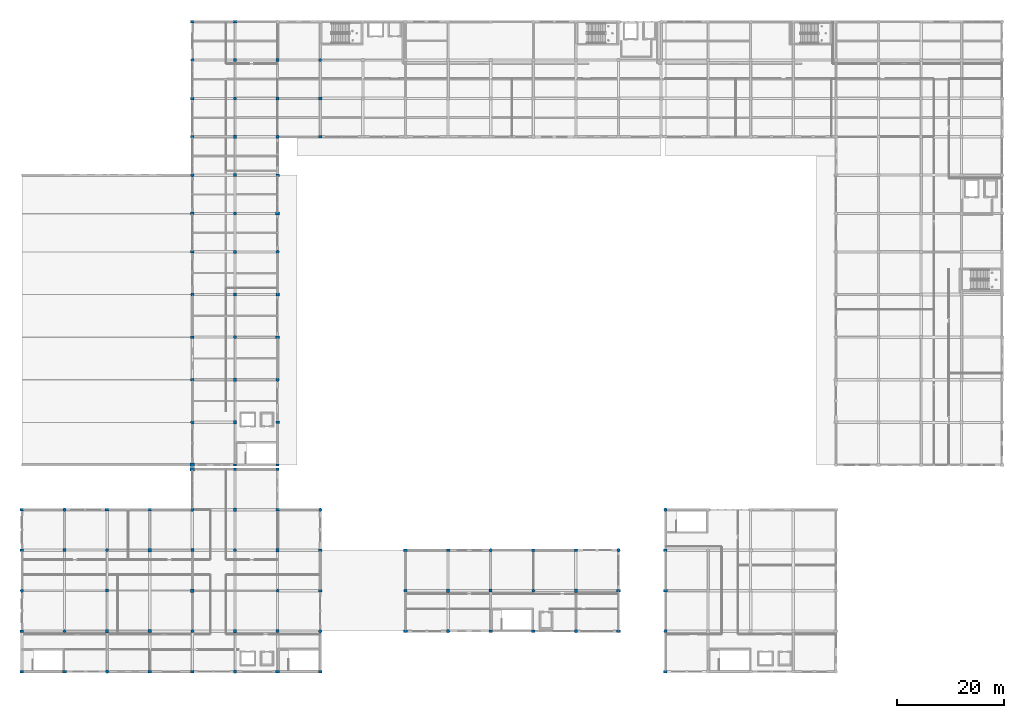
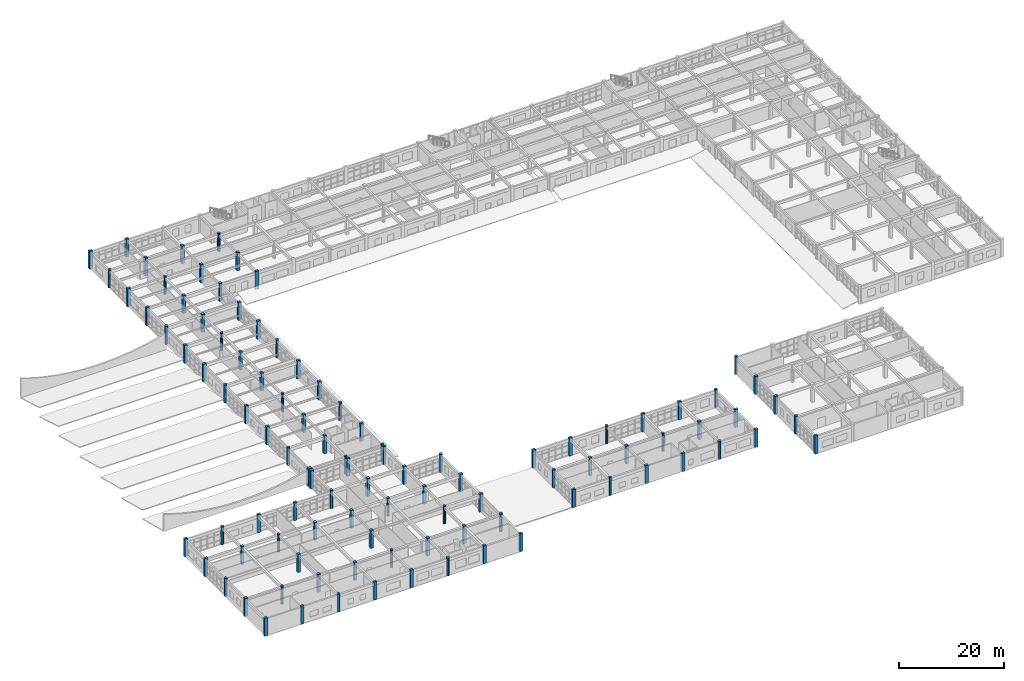
# One storey, part 1 of 121: 101 columns.
"""IFC4 building model written with IfcOpenShell, lengths in metres."""

from ifc_helpers import new_model, si_unit, direction, frame, origin, origin_2d, place, context, subcontext, project, spatial, rectangle, circle, extrude, material, material_profile, profile_set, type_object, element, save


model = new_model("IFC4")

# Units and contexts
model_context = context("Model", 3, precision=1e-05, world=origin(), true_north=direction((0.0, 1.0)))
body_context = subcontext(model_context, "Body", "Model", "MODEL_VIEW")
ifc_project = project(units=[si_unit("LENGTHUNIT", "METRE"), si_unit("AREAUNIT", "SQUARE_METRE"), si_unit("VOLUMEUNIT", "CUBIC_METRE"), si_unit("PLANEANGLEUNIT", "RADIAN"), si_unit("MASSUNIT", "GRAM", prefix="KILO")], contexts=[model_context])

# Site, building, storey
site_placement = place(None, origin())
site = spatial("IfcSite", under=ifc_project, at=site_placement, CompositionType="ELEMENT")
building_placement = place(site_placement, origin())
building = spatial("IfcBuilding", under=site, at=building_placement, Name="Kharva Crest Polytechnic", CompositionType="ELEMENT")
storey_placement = place(building_placement, frame((0.0, 0.0, 13.199951171875)))
storey = spatial("IfcBuildingStorey", under=building, at=storey_placement, Name="L03", CompositionType="ELEMENT", Elevation=13.199951171875)

# Columns
ifc_material = material(Name="Concrete C40/50", Category="concrete")
ifc_material_profile_1 = material_profile(ifc_material, rectangle(XDim=0.60009765625, YDim=0.39990234375, at=origin_2d()), Name="RECT 600 X 400")
ifc_profile_set_1 = profile_set([ifc_material_profile_1], Name="Concrete C40/50")
column_type_1 = type_object("IfcColumnType", Name="COL-EXT-600X400", PredefinedType="COLUMN", material=ifc_profile_set_1)
for number, where, z_axis, x_axis, name in (
    (1, (40.0, 38.0, 0.0), (0.0, 0.0, 1.0), (1.0, 0.0, 0.0), "L03 Column 6/F"),
    (2, (40.0, 38.800048828125, 0.0), (0.0, 0.0, 1.0), (1.0, 0.0, 0.0), "L03 Column 6/FJ"),
    (3, (48.0, 38.0, 0.0), (0.0, 0.0, 1.0), (1.0, 0.0, 0.0), "L03 Column 7/F"),
    (4, (48.0, 38.800048828125, 0.0), (0.0, 0.0, 1.0), (1.0, 0.0, 0.0), "L03 Column 7/FJ"),
):
    element("IfcColumn", number, at=place(storey_placement, frame(where, z_axis=z_axis, x_axis=x_axis)), inside=storey, type_object=column_type_1, Name=name, PredefinedType="COLUMN", context=body_context, shape_type="SweptSolid", body=[
        extrude(rectangle(XDim=0.60009765625, YDim=0.39990234375, at=origin_2d()), origin(), (0.0, 0.0, 1.0), 4.199951171875),
    ])
ifc_material_profile_2 = material_profile(ifc_material, rectangle(XDim=0.679931640625, YDim=0.5, at=origin_2d()), Name="RECT 680 X 500")
ifc_profile_set_2 = profile_set([ifc_material_profile_2], Name="Concrete C40/50")
column_type_2 = type_object("IfcColumnType", Name="COL-EXT-680X500", PredefinedType="COLUMN", material=ifc_profile_set_2)
for number, where, z_axis, x_axis, name in (
    (5, (0.0, 7.60009765625, 0.0), (0.0, 0.0, 1.0), (1.0, 0.0, 0.0), "L03 Column 1/B"),
    (6, (0.0, 30.39990234375, 0.0), (0.0, 0.0, 1.0), (1.0, 0.0, 0.0), "L03 Column 1/E"),
    (7, (72.0, 7.60009765625, 0.0), (0.0, 0.0, 1.0), (1.0, 0.0, 0.0), "L03 Column 10/B"),
    (8, (80.0, 22.800048828125, 0.0), (0.0, 0.0, 1.0), (1.0, 0.0, 0.0), "L03 Column 11/D"),
    (9, (96.0, 7.60009765625, 0.0), (0.0, 0.0, 1.0), (1.0, 0.0, 0.0), "L03 Column 13/B"),
    (10, (104.0, 22.800048828125, 0.0), (0.0, 0.0, 1.0), (1.0, 0.0, 0.0), "L03 Column 14/D"),
    (11, (112.0, 15.199951171875, 0.0), (0.0, 0.0, 1.0), (1.0, 0.0, 0.0), "L03 Column 15/C"),
    (12, (120.800048828125, 0.0, 0.0), (0.0, 0.0, 1.0), (1.0, 0.0, 0.0), "L03 Column 16J/A"),
    (13, (120.800048828125, 22.800048828125, 0.0), (0.0, 0.0, 1.0), (1.0, 0.0, 0.0), "L03 Column 16J/D"),
    (14, (8.0, 0.0, 0.0), (0.0, 0.0, 1.0), (1.0, 0.0, 0.0), "L03 Column 2/A"),
    (15, (24.0, 30.39990234375, 0.0), (0.0, 0.0, 1.0), (1.0, 0.0, 0.0), "L03 Column 4/E"),
    (16, (32.0, 0.0, 0.0), (0.0, 0.0, 1.0), (1.0, 0.0, 0.0), "L03 Column 5/A"),
    (17, (32.0, 62.800048828125, 0.0), (0.0, 0.0, 1.0), (1.0, 0.0, 0.0), "L03 Column 5/J"),
    (18, (32.0, 86.0, 0.0), (0.0, 0.0, 1.0), (1.0, 0.0, 0.0), "L03 Column 5/M"),
    (19, (32.0, 107.60009765625, 0.0), (0.0, 0.0, 1.0), (1.0, 0.0, 0.0), "L03 Column 5/Q"),
    (20, (40.0, 122.0, 0.0), (0.0, 0.0, 1.0), (1.0, 0.0, 0.0), "L03 Column 6/S"),
    (21, (48.0, 30.39990234375, 0.0), (0.0, 0.0, 1.0), (1.0, 0.0, 0.0), "L03 Column 7/E"),
    (22, (48.0, 46.800048828125, 0.0), (0.0, 0.0, 1.0), (1.0, 0.0, 0.0), "L03 Column 7/G"),
    (23, (48.0, 70.800048828125, 0.0), (0.0, 0.0, 1.0), (1.0, 0.0, 0.0), "L03 Column 7/K"),
    (24, (48.0, 93.199951171875, 0.0), (0.0, 0.0, 1.0), (1.0, 0.0, 0.0), "L03 Column 7/N"),
    (25, (56.0, 0.0, 0.0), (0.0, 0.0, 1.0), (1.0, 0.0, 0.0), "L03 Column 8/A"),
    (26, (56.0, 22.800048828125, 0.0), (0.0, 0.0, 1.0), (1.0, 0.0, 0.0), "L03 Column 8/D"),
):
    element("IfcColumn", number, at=place(storey_placement, frame(where, z_axis=z_axis, x_axis=x_axis)), inside=storey, type_object=column_type_2, Name=name, PredefinedType="COLUMN", context=body_context, shape_type="SweptSolid", body=[
        extrude(rectangle(XDim=0.679931640625, YDim=0.5, at=origin_2d()), origin(), (0.0, 0.0, 1.0), 4.199951171875),
    ])
ifc_material_profile_3 = material_profile(ifc_material, rectangle(XDim=0.699951171875, YDim=0.5, at=origin_2d()), Name="RECT 700 X 500")
ifc_profile_set_3 = profile_set([ifc_material_profile_3], Name="Concrete C40/50")
column_type_3 = type_object("IfcColumnType", Name="COL-EXT-700X500", PredefinedType="COLUMN", material=ifc_profile_set_3)
for number, where, z_axis, x_axis, name in (
    (27, (0.0, 0.0, 0.0), (0.0, 0.0, 1.0), (1.0, 0.0, 0.0), "L03 Column 1/A"),
    (28, (0.0, 22.800048828125, 0.0), (0.0, 0.0, 1.0), (1.0, 0.0, 0.0), "L03 Column 1/D"),
    (29, (72.0, 22.800048828125, 0.0), (0.0, 0.0, 1.0), (1.0, 0.0, 0.0), "L03 Column 10/D"),
    (30, (88.0, 7.60009765625, 0.0), (0.0, 0.0, 1.0), (1.0, 0.0, 0.0), "L03 Column 12/B"),
    (31, (96.0, 22.800048828125, 0.0), (0.0, 0.0, 1.0), (1.0, 0.0, 0.0), "L03 Column 13/D"),
    (32, (112.0, 7.60009765625, 0.0), (0.0, 0.0, 1.0), (1.0, 0.0, 0.0), "L03 Column 15/B"),
    (33, (120.800048828125, 15.199951171875, 0.0), (0.0, 0.0, 1.0), (1.0, 0.0, 0.0), "L03 Column 16J/C"),
    (34, (16.0, 30.39990234375, 0.0), (0.0, 0.0, 1.0), (1.0, 0.0, 0.0), "L03 Column 3/E"),
    (35, (24.0, 0.0, 0.0), (0.0, 0.0, 1.0), (1.0, 0.0, 0.0), "L03 Column 4/A"),
    (36, (32.0, 54.800048828125, 0.0), (0.0, 0.0, 1.0), (1.0, 0.0, 0.0), "L03 Column 5/H"),
    (37, (32.0, 78.800048828125, 0.0), (0.0, 0.0, 1.0), (1.0, 0.0, 0.0), "L03 Column 5/L"),
    (38, (32.0, 100.39990234375, 0.0), (0.0, 0.0, 1.0), (1.0, 0.0, 0.0), "L03 Column 5/P"),
    (39, (32.0, 122.0, 0.0), (0.0, 0.0, 1.0), (1.0, 0.0, 0.0), "L03 Column 5/S"),
    (40, (48.0, 0.0, 0.0), (0.0, 0.0, 1.0), (1.0, 0.0, 0.0), "L03 Column 7/A"),
    (41, (48.0, 62.800048828125, 0.0), (0.0, 0.0, 1.0), (1.0, 0.0, 0.0), "L03 Column 7/J"),
    (42, (48.0, 86.0, 0.0), (0.0, 0.0, 1.0), (1.0, 0.0, 0.0), "L03 Column 7/M"),
    (43, (56.0, 15.199951171875, 0.0), (0.0, 0.0, 1.0), (1.0, 0.0, 0.0), "L03 Column 8/C"),
    (44, (56.0, 100.39990234375, 0.0), (0.0, 0.0, 1.0), (1.0, 0.0, 0.0), "L03 Column 8/P"),
):
    element("IfcColumn", number, at=place(storey_placement, frame(where, z_axis=z_axis, x_axis=x_axis)), inside=storey, type_object=column_type_3, Name=name, PredefinedType="COLUMN", context=body_context, shape_type="SweptSolid", body=[
        extrude(rectangle(XDim=0.699951171875, YDim=0.5, at=origin_2d()), origin(), (0.0, 0.0, 1.0), 4.199951171875),
    ])
ifc_material_profile_4 = material_profile(ifc_material, rectangle(XDim=0.800048828125, YDim=0.64990234375, at=origin_2d()), Name="RECT 800 X 650")
ifc_profile_set_4 = profile_set([ifc_material_profile_4], Name="Concrete C40/50")
column_type_4 = type_object("IfcColumnType", Name="COL-EXT-800X650", PredefinedType="COLUMN", material=ifc_profile_set_4)
for number, where, z_axis, x_axis, name in (
    (45, (32.0, 38.0, 0.0), (0.0, 0.0, 1.0), (1.0, 0.0, 0.0), "L03 Column 5/F"),
    (46, (32.0, 38.800048828125, 0.0), (0.0, 0.0, 1.0), (1.0, 0.0, 0.0), "L03 Column 5/FJ"),
):
    element("IfcColumn", number, at=place(storey_placement, frame(where, z_axis=z_axis, x_axis=x_axis)), inside=storey, type_object=column_type_4, Name=name, PredefinedType="COLUMN", context=body_context, shape_type="SweptSolid", body=[
        extrude(rectangle(XDim=0.800048828125, YDim=0.64990234375, at=origin_2d()), origin(), (0.0, 0.0, 1.0), 4.199951171875),
    ])
ifc_material_profile_5 = material_profile(ifc_material, circle(Radius=0.320068359375, at=origin_2d()), Name="DIA 640")
ifc_profile_set_5 = profile_set([ifc_material_profile_5], Name="Concrete C40/50")
column_type_5 = type_object("IfcColumnType", Name="COL-EXT-DIA640", PredefinedType="COLUMN", material=ifc_profile_set_5)
for number, where, z_axis, x_axis, name in (
    (47, (0.0, 15.199951171875, 0.0), (0.0, 0.0, 1.0), (1.0, 0.0, 0.0), "L03 Column 1/C"),
    (48, (72.0, 15.199951171875, 0.0), (0.0, 0.0, 1.0), (1.0, 0.0, 0.0), "L03 Column 10/C"),
    (49, (80.0, 7.60009765625, 0.0), (0.0, 0.0, 1.0), (1.0, 0.0, 0.0), "L03 Column 11/B"),
    (50, (88.0, 22.800048828125, 0.0), (0.0, 0.0, 1.0), (1.0, 0.0, 0.0), "L03 Column 12/D"),
    (51, (104.0, 7.60009765625, 0.0), (0.0, 0.0, 1.0), (1.0, 0.0, 0.0), "L03 Column 14/B"),
    (52, (112.0, 22.800048828125, 0.0), (0.0, 0.0, 1.0), (1.0, 0.0, 0.0), "L03 Column 15/D"),
    (53, (120.800048828125, 7.60009765625, 0.0), (0.0, 0.0, 1.0), (1.0, 0.0, 0.0), "L03 Column 16J/B"),
    (54, (120.800048828125, 30.39990234375, 0.0), (0.0, 0.0, 1.0), (1.0, 0.0, 0.0), "L03 Column 16J/E"),
    (55, (8.0, 30.39990234375, 0.0), (0.0, 0.0, 1.0), (1.0, 0.0, 0.0), "L03 Column 2/E"),
    (56, (16.0, 0.0, 0.0), (0.0, 0.0, 1.0), (1.0, 0.0, 0.0), "L03 Column 3/A"),
    (57, (32.0, 30.39990234375, 0.0), (0.0, 0.0, 1.0), (1.0, 0.0, 0.0), "L03 Column 5/E"),
    (58, (32.0, 46.800048828125, 0.0), (0.0, 0.0, 1.0), (1.0, 0.0, 0.0), "L03 Column 5/G"),
    (59, (32.0, 70.800048828125, 0.0), (0.0, 0.0, 1.0), (1.0, 0.0, 0.0), "L03 Column 5/K"),
    (60, (32.0, 93.199951171875, 0.0), (0.0, 0.0, 1.0), (1.0, 0.0, 0.0), "L03 Column 5/N"),
    (61, (32.0, 114.800048828125, 0.0), (0.0, 0.0, 1.0), (1.0, 0.0, 0.0), "L03 Column 5/R"),
    (62, (40.0, 0.0, 0.0), (0.0, 0.0, 1.0), (1.0, 0.0, 0.0), "L03 Column 6/A"),
    (63, (48.0, 54.800048828125, 0.0), (0.0, 0.0, 1.0), (1.0, 0.0, 0.0), "L03 Column 7/H"),
    (64, (48.0, 78.800048828125, 0.0), (0.0, 0.0, 1.0), (1.0, 0.0, 0.0), "L03 Column 7/L"),
    (65, (48.0, 100.39990234375, 0.0), (0.0, 0.0, 1.0), (1.0, 0.0, 0.0), "L03 Column 7/P"),
    (66, (56.0, 7.60009765625, 0.0), (0.0, 0.0, 1.0), (1.0, 0.0, 0.0), "L03 Column 8/B"),
    (67, (56.0, 30.39990234375, 0.0), (0.0, 0.0, 1.0), (1.0, 0.0, 0.0), "L03 Column 8/E"),
):
    element("IfcColumn", number, at=place(storey_placement, frame(where, z_axis=z_axis, x_axis=x_axis)), inside=storey, type_object=column_type_5, Name=name, PredefinedType="COLUMN", context=body_context, shape_type="SweptSolid", body=[
        extrude(circle(Radius=0.320068359375, at=origin_2d()), origin(), (0.0, 0.0, 1.0), 4.199951171875),
    ])
ifc_material_profile_6 = material_profile(ifc_material, rectangle(XDim=0.580078125, YDim=0.580078125, at=origin_2d()), Name="RECT 580 X 580")
ifc_profile_set_6 = profile_set([ifc_material_profile_6], Name="Concrete C40/50")
column_type_6 = type_object("IfcColumnType", Name="COL-INT-580X580", PredefinedType="COLUMN", material=ifc_profile_set_6)
for number, where, z_axis, x_axis, name in (
    (68, (88.0, 15.199951171875, 0.0), (0.0, 0.0, 1.0), (1.0, 0.0, 0.0), "L03 Column 12/C"),
    (69, (8.0, 22.800048828125, 0.0), (0.0, 0.0, 1.0), (1.0, 0.0, 0.0), "L03 Column 2/D"),
    (70, (16.0, 15.199951171875, 0.0), (0.0, 0.0, 1.0), (1.0, 0.0, 0.0), "L03 Column 3/C"),
    (71, (24.0, 7.60009765625, 0.0), (0.0, 0.0, 1.0), (1.0, 0.0, 0.0), "L03 Column 4/B"),
    (72, (32.0, 22.800048828125, 0.0), (0.0, 0.0, 1.0), (1.0, 0.0, 0.0), "L03 Column 5/D"),
    (73, (40.0, 54.800048828125, 0.0), (0.0, 0.0, 1.0), (1.0, 0.0, 0.0), "L03 Column 6/H"),
    (74, (40.0, 78.800048828125, 0.0), (0.0, 0.0, 1.0), (1.0, 0.0, 0.0), "L03 Column 6/L"),
    (75, (40.0, 100.39990234375, 0.0), (0.0, 0.0, 1.0), (1.0, 0.0, 0.0), "L03 Column 6/P"),
    (76, (48.0, 7.60009765625, 0.0), (0.0, 0.0, 1.0), (1.0, 0.0, 0.0), "L03 Column 7/B"),
    (77, (48.0, 114.800048828125, 0.0), (0.0, 0.0, 1.0), (1.0, 0.0, 0.0), "L03 Column 7/R"),
    (78, (56.0, 107.60009765625, 0.0), (0.0, 0.0, 1.0), (1.0, 0.0, 0.0), "L03 Column 8/Q"),
):
    element("IfcColumn", number, at=place(storey_placement, frame(where, z_axis=z_axis, x_axis=x_axis)), inside=storey, type_object=column_type_6, Name=name, PredefinedType="COLUMN", context=body_context, shape_type="SweptSolid", body=[
        extrude(rectangle(XDim=0.580078125, YDim=0.580078125, at=origin_2d()), origin(), (0.0, 0.0, 1.0), 4.199951171875),
    ])
ifc_material_profile_7 = material_profile(ifc_material, rectangle(XDim=0.60009765625, YDim=0.60009765625, at=origin_2d()), Name="RECT 600 X 600")
ifc_profile_set_7 = profile_set([ifc_material_profile_7], Name="Concrete C40/50")
column_type_7 = type_object("IfcColumnType", Name="COL-INT-600X600", PredefinedType="COLUMN", material=ifc_profile_set_7)
for number, where, z_axis, x_axis, name in (
    (79, (80.0, 15.199951171875, 0.0), (0.0, 0.0, 1.0), (1.0, 0.0, 0.0), "L03 Column 11/C"),
    (80, (104.0, 15.199951171875, 0.0), (0.0, 0.0, 1.0), (1.0, 0.0, 0.0), "L03 Column 14/C"),
    (81, (16.0, 7.60009765625, 0.0), (0.0, 0.0, 1.0), (1.0, 0.0, 0.0), "L03 Column 3/B"),
    (82, (24.0, 22.800048828125, 0.0), (0.0, 0.0, 1.0), (1.0, 0.0, 0.0), "L03 Column 4/D"),
    (83, (32.0, 15.199951171875, 0.0), (0.0, 0.0, 1.0), (1.0, 0.0, 0.0), "L03 Column 5/C"),
    (84, (40.0, 7.60009765625, 0.0), (0.0, 0.0, 1.0), (1.0, 0.0, 0.0), "L03 Column 6/B"),
    (85, (40.0, 30.39990234375, 0.0), (0.0, 0.0, 1.0), (1.0, 0.0, 0.0), "L03 Column 6/E"),
    (86, (40.0, 46.800048828125, 0.0), (0.0, 0.0, 1.0), (1.0, 0.0, 0.0), "L03 Column 6/G"),
    (87, (40.0, 70.800048828125, 0.0), (0.0, 0.0, 1.0), (1.0, 0.0, 0.0), "L03 Column 6/K"),
    (88, (40.0, 93.199951171875, 0.0), (0.0, 0.0, 1.0), (1.0, 0.0, 0.0), "L03 Column 6/N"),
    (89, (40.0, 114.800048828125, 0.0), (0.0, 0.0, 1.0), (1.0, 0.0, 0.0), "L03 Column 6/R"),
    (90, (48.0, 22.800048828125, 0.0), (0.0, 0.0, 1.0), (1.0, 0.0, 0.0), "L03 Column 7/D"),
    (91, (48.0, 107.60009765625, 0.0), (0.0, 0.0, 1.0), (1.0, 0.0, 0.0), "L03 Column 7/Q"),
):
    element("IfcColumn", number, at=place(storey_placement, frame(where, z_axis=z_axis, x_axis=x_axis)), inside=storey, type_object=column_type_7, Name=name, PredefinedType="COLUMN", context=body_context, shape_type="SweptSolid", body=[
        extrude(rectangle(XDim=0.60009765625, YDim=0.60009765625, at=origin_2d()), origin(), (0.0, 0.0, 1.0), 4.199951171875),
    ])
ifc_material_profile_8 = material_profile(ifc_material, circle(Radius=0.2900390625, at=origin_2d()), Name="DIA 580")
ifc_profile_set_8 = profile_set([ifc_material_profile_8], Name="Concrete C40/50")
column_type_8 = type_object("IfcColumnType", Name="COL-INT-DIA580", PredefinedType="COLUMN", material=ifc_profile_set_8)
for number, where, z_axis, x_axis, name in (
    (92, (96.0, 15.199951171875, 0.0), (0.0, 0.0, 1.0), (1.0, 0.0, 0.0), "L03 Column 13/C"),
    (93, (8.0, 7.60009765625, 0.0), (0.0, 0.0, 1.0), (1.0, 0.0, 0.0), "L03 Column 2/B"),
    (94, (16.0, 22.800048828125, 0.0), (0.0, 0.0, 1.0), (1.0, 0.0, 0.0), "L03 Column 3/D"),
    (95, (32.0, 7.60009765625, 0.0), (0.0, 0.0, 1.0), (1.0, 0.0, 0.0), "L03 Column 5/B"),
    (96, (40.0, 22.800048828125, 0.0), (0.0, 0.0, 1.0), (1.0, 0.0, 0.0), "L03 Column 6/D"),
    (97, (40.0, 62.800048828125, 0.0), (0.0, 0.0, 1.0), (1.0, 0.0, 0.0), "L03 Column 6/J"),
    (98, (40.0, 86.0, 0.0), (0.0, 0.0, 1.0), (1.0, 0.0, 0.0), "L03 Column 6/M"),
    (99, (40.0, 107.60009765625, 0.0), (0.0, 0.0, 1.0), (1.0, 0.0, 0.0), "L03 Column 6/Q"),
    (100, (48.0, 15.199951171875, 0.0), (0.0, 0.0, 1.0), (1.0, 0.0, 0.0), "L03 Column 7/C"),
    (101, (56.0, 114.800048828125, 0.0), (0.0, 0.0, 1.0), (1.0, 0.0, 0.0), "L03 Column 8/R"),
):
    element("IfcColumn", number, at=place(storey_placement, frame(where, z_axis=z_axis, x_axis=x_axis)), inside=storey, type_object=column_type_8, Name=name, PredefinedType="COLUMN", context=body_context, shape_type="SweptSolid", body=[
        extrude(circle(Radius=0.2900390625, at=origin_2d()), origin(), (0.0, 0.0, 1.0), 4.199951171875),
    ])

save(model, "model.ifc")
